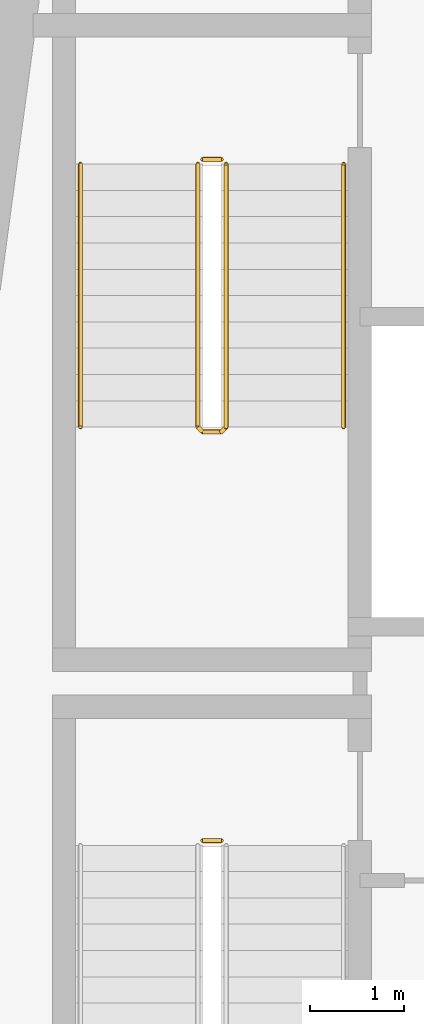
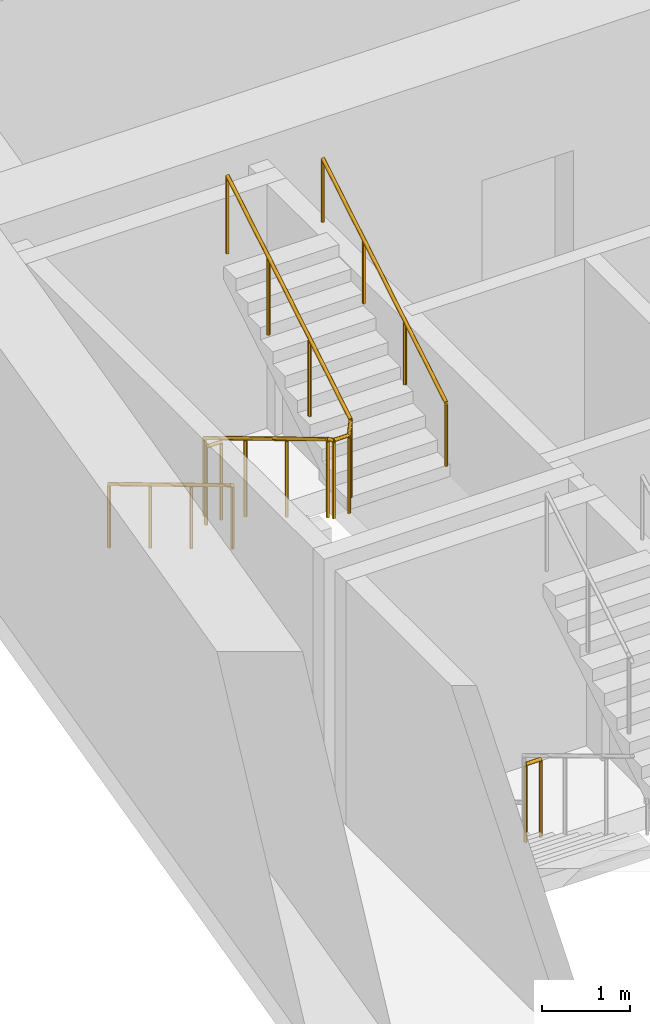
# One storey, part 10 of 13: 5 railings.
"""IFC4 building model written with IfcOpenShell, lengths in metres."""

import ifcopenshell
import ifcopenshell.guid

model = None  # the IFC model being written
_history = None  # IfcOwnerHistory: only IFC2X3 demands one
_inside = {}  # id of a spatial element -> (the spatial element, [elements in it])
_under = {}  # id of a project, library or spatial element -> (it, [spatial elements below it])
_declared = {}  # id of a project -> (the project, [libraries it declares])
_typed = {}  # id of a type object -> (the type object, [elements of that type])
_made_of = {}  # id of a material, layer set ... -> (it, [elements and type objects made of it])


def new_model(schema):
    """Start an empty IFC model of exactly this schema.

    Asked for "IFC4X3", IfcOpenShell would pick the latest addendum, in which some entities
    have other attributes; the version numbers below select the first issue.
    IFC2X3 requires an IfcOwnerHistory on every rooted entity: one is made here for all.
    """
    global model, _history
    if schema == "IFC4X3":
        model = ifcopenshell.file(schema_version=(4, 3, 0, 0))
    else:
        model = ifcopenshell.file(schema=schema)
    _inside.clear()
    _under.clear()
    _declared.clear()
    _typed.clear()
    _made_of.clear()
    _history = None
    if model.schema == "IFC2X3":
        org = make("IfcOrganization", Name="unknown")
        user = make(
            "IfcPersonAndOrganization",
            ThePerson=make("IfcPerson", FamilyName="unknown"),
            TheOrganization=org,
        )
        app = make(
            "IfcApplication",
            ApplicationDeveloper=org,
            Version="unknown",
            ApplicationFullName="unknown",
            ApplicationIdentifier="unknown",
        )
        _history = make(
            "IfcOwnerHistory",
            OwningUser=user,
            OwningApplication=app,
            ChangeAction="ADDED",
            CreationDate=0,
        )
    return model


def make(cls, **values):
    """One entity of the class cls with the attributes given. An attribute that is None is left unset."""
    return model.create_entity(
        cls, **{name: value for name, value in values.items() if value is not None}
    )


def rooted(cls, **values):
    """An entity with a GlobalId (a new one), such as an element, a storey or a relation."""
    return make(cls, GlobalId=ifcopenshell.guid.new(), OwnerHistory=_history, **values)


def si_unit(unit_type, name, prefix=None):
    """IfcSIUnit, for example si_unit("LENGTHUNIT", "METRE", prefix="MILLI")."""
    return make("IfcSIUnit", UnitType=unit_type, Prefix=prefix, Name=name)


def assignment(units):
    """IfcUnitAssignment: the units of a project."""
    return None if units is None else make("IfcUnitAssignment", Units=units)


def point(xyz):
    """IfcCartesianPoint."""
    return None if xyz is None else make("IfcCartesianPoint", Coordinates=xyz)


def direction(xyz):
    """IfcDirection."""
    return None if xyz is None else make("IfcDirection", DirectionRatios=xyz)


def frame(location, z_axis=None, x_axis=None):
    """IfcAxis2Placement3D, a coordinate frame: its origin and axes. An axis left out is left unset."""
    return make(
        "IfcAxis2Placement3D",
        Location=point(location),
        Axis=direction(z_axis),
        RefDirection=direction(x_axis),
    )


def frame_2d(location, x_axis=None):
    """IfcAxis2Placement2D, a coordinate frame in the plane: its origin and x axis."""
    return make(
        "IfcAxis2Placement2D", Location=point(location), RefDirection=direction(x_axis)
    )


def origin():
    """The frame at (0, 0, 0) with its axes left unset."""
    return frame((0.0, 0.0, 0.0))


def origin_2d():
    """The frame at (0, 0) in the plane with its x axis left unset."""
    return frame_2d((0.0, 0.0))


def place(relative_to, where):
    """IfcLocalPlacement: puts the frame where relative to a parent placement (None: the world)."""
    return make(
        "IfcLocalPlacement", PlacementRelTo=relative_to, RelativePlacement=where
    )


def context(
    kind, dimensions, precision=None, world=None, true_north=None, identifier=None
):
    """IfcGeometricRepresentationContext, for example the 3D "Model" context."""
    return make(
        "IfcGeometricRepresentationContext",
        ContextIdentifier=identifier,
        ContextType=kind,
        CoordinateSpaceDimension=dimensions,
        Precision=precision,
        WorldCoordinateSystem=world,
        TrueNorth=true_north,
    )


def subcontext(parent, identifier, kind, view, scale=None):
    """IfcGeometricRepresentationSubContext, for example "Body" below "Model"."""
    return make(
        "IfcGeometricRepresentationSubContext",
        ContextIdentifier=identifier,
        ContextType=kind,
        ParentContext=parent,
        TargetScale=scale,
        TargetView=view,
    )


def project(units=None, contexts=None):
    """IfcProject with its units and contexts."""
    return rooted(
        "IfcProject",
        Name="project",
        RepresentationContexts=contexts,
        UnitsInContext=assignment(units),
    )


def spatial(cls, under=None, at=None, **own):
    """A site, building, storey or space (cls), placed at a placement, below another one or the project."""
    s = rooted(cls, ObjectPlacement=at, **own)
    if under is not None:
        _under.setdefault(under.id(), (under, []))[1].append(s)
    return s


def profile(cls, at=None, kind="AREA", **sizes):
    """A parametric profile (cls). Its sizes go by their IFC names, for example OverallWidth=200.0."""
    return make(cls, ProfileType=kind, Position=at, **sizes)


def circle(**sizes):
    """IfcCircleProfileDef."""
    return profile("IfcCircleProfileDef", **sizes)


def extrude(swept, where, along, depth):
    """IfcExtrudedAreaSolid: the profile swept, set in the frame where, extruded along a direction by depth."""
    return make(
        "IfcExtrudedAreaSolid",
        SweptArea=swept,
        Position=where,
        ExtrudedDirection=direction(along),
        Depth=depth,
    )


def shape(context_of_items, identifier, shape_type, items):
    """IfcShapeRepresentation: the items that make up one representation, for example the "Body"."""
    return make(
        "IfcShapeRepresentation",
        ContextOfItems=context_of_items,
        RepresentationIdentifier=identifier,
        RepresentationType=shape_type,
        Items=items,
    )


def material(Name=None, Category=None):
    """IfcMaterial."""
    return make("IfcMaterial", Name=Name, Category=Category)


def made_of(thing, what):
    """Note that an element or type object is made of a material, layer set ...; save() writes the relation."""
    if what is not None:
        _made_of.setdefault(what.id(), (what, []))[1].append(thing)
    return thing


def type_object(cls, material=None, **own):
    """A type object (cls), such as IfcWallType, which elements share."""
    return made_of(rooted(cls, **own), material)


def element(
    cls,
    number,
    at=None,
    inside=None,
    cuts=None,
    type_object=None,
    material=None,
    context=None,
    identifier="Body",
    shape_type=None,
    held_by="IfcProductDefinitionShape",
    body=None,
    shapes=None,
    **own,
):
    """One element of the class cls, such as IfcWall. Its Tag is "e" and its number.

    at: its placement. inside: the storey or other place that contains it. cuts: it is an
    opening in that element (IfcRelVoidsElement). A single representation is given by context,
    identifier, shape_type and body (its items); several are given by shapes. held_by: the class
    of the entity that holds the representations. save() writes the other relations.
    """
    e = rooted(cls, Tag="e%d" % number, ObjectPlacement=at, **own)
    if body is not None:
        shapes = [shape(context, identifier, shape_type, body)]
    if shapes is not None:
        e.Representation = make(held_by, Representations=shapes)
    if inside is not None:
        _inside.setdefault(inside.id(), (inside, []))[1].append(e)
    if cuts is not None:
        rooted(
            "IfcRelVoidsElement", RelatingBuildingElement=cuts, RelatedOpeningElement=e
        )
    if type_object is not None:
        _typed.setdefault(type_object.id(), (type_object, []))[1].append(e)
    return made_of(e, material)


def aggregate(whole, parts):
    """IfcRelAggregates: a whole, such as a stair, and the parts it consists of."""
    return rooted("IfcRelAggregates", RelatingObject=whole, RelatedObjects=parts)


def save(model, path):
    """Write the relations noted so far, then the file.

    IfcRelAggregates (storeys below a building ...), IfcRelContainedInSpatialStructure (elements
    in a storey), IfcRelDefinesByType, IfcRelAssociatesMaterial and IfcRelDeclares: one each for
    every whole, place, type object, material and project.
    """
    for whole, parts in _under.values():
        aggregate(whole, parts)
    for where, things in _inside.values():
        rooted(
            "IfcRelContainedInSpatialStructure",
            RelatedElements=things,
            RelatingStructure=where,
        )
    for kind, things in _typed.values():
        rooted("IfcRelDefinesByType", RelatedObjects=things, RelatingType=kind)
    for what, things in _made_of.values():
        rooted("IfcRelAssociatesMaterial", RelatedObjects=things, RelatingMaterial=what)
    for by, libraries in _declared.values():
        rooted("IfcRelDeclares", RelatingContext=by, RelatedDefinitions=libraries)
    model.write(path)


model = new_model("IFC4")

# Units and contexts
model_context = context("Model", 3, precision=1e-05, world=origin(), true_north=direction((0.0, 1.0)))
body_context = subcontext(model_context, "Body", "Model", "MODEL_VIEW")
ifc_project = project(units=[si_unit("LENGTHUNIT", "METRE"), si_unit("AREAUNIT", "SQUARE_METRE"), si_unit("VOLUMEUNIT", "CUBIC_METRE"), si_unit("PLANEANGLEUNIT", "RADIAN"), si_unit("MASSUNIT", "GRAM", prefix="KILO")], contexts=[model_context])

# Site, building, storey
site_placement = place(None, origin())
site = spatial("IfcSite", under=ifc_project, at=site_placement, CompositionType="ELEMENT")
building_placement = place(site_placement, origin())
building = spatial("IfcBuilding", under=site, at=building_placement, Name="Candeia Pilgrim Tower and Theatre", CompositionType="ELEMENT")
storey_placement = place(building_placement, frame((0.0, 0.0, 158.89990234375)))
storey = spatial("IfcBuildingStorey", under=building, at=storey_placement, Name="L37", CompositionType="ELEMENT", Elevation=158.89990234375)

# Railings
ifc_material_1 = material(Name="Stainless steel balustrade", Category="steel")
railing_type_1 = type_object("IfcRailingType", Name="RL-GUARD-1100", PredefinedType="GUARDRAIL", material=ifc_material_1)
railing_1_placement = place(storey_placement, frame((91.152099609375, 122.52490234375, 0.0)))
element("IfcRailing", 1, at=railing_1_placement, inside=storey, type_object=railing_type_1, Name="L37 ST1 stair guard 2", PredefinedType="GUARDRAIL", context=body_context, shape_type="SweptSolid", body=[
    extrude(circle(Radius=0.02392578125, at=origin_2d()), frame((0.0, 0.0, 1.076171875), z_axis=(1.0, 0.0, 0.0), x_axis=(0.0, 1.0, 0.0)), (0.0, 0.0, 1.0), 0.199951171875),
    extrude(circle(Radius=0.02099609375, at=origin_2d()), origin(), (0.0, 0.0, 1.0), 1.052001953125),
    extrude(circle(Radius=0.02099609375, at=origin_2d()), frame((0.199951171875, 0.0, 0.0)), (0.0, 0.0, 1.0), 1.052001953125),
])
railing_2_placement = place(storey_placement, frame((91.10205078125, 129.72509765625, 0.168212890625)))
element("IfcRailing", 2, at=railing_2_placement, inside=storey, type_object=railing_type_1, Name="L37 ST2 stair guard 1", PredefinedType="GUARDRAIL", context=body_context, shape_type="SweptSolid", body=[
    extrude(circle(Radius=0.02392578125, at=origin_2d()), frame((0.0, 0.0, 1.076171875), z_axis=(0.0, -0.857242210791, 0.514913383045), x_axis=(1.0, 0.0, 0.0)), (0.0, 0.0, 1.0), 3.266357421875),
    extrude(circle(Radius=0.02392578125, at=origin_2d()), frame((0.0, -2.800048828125, 2.7578125), z_axis=(0.707106781187, -0.707106781187, 0.0), x_axis=(0.707106781187, 0.707106781187, 0.0)), (0.0, 0.0, 1.0), 0.07080078125),
    extrude(circle(Radius=0.02392578125, at=origin_2d()), frame((0.050048828125, -2.85009765625, 2.7578125), z_axis=(1.0, 0.0, 0.0), x_axis=(0.0, 1.0, 0.0)), (0.0, 0.0, 1.0), 0.199951171875),
    extrude(circle(Radius=0.02392578125, at=origin_2d()), frame((0.25, -2.85009765625, 2.7578125), z_axis=(0.274243871929, 0.274243871929, 0.92172696468), x_axis=(-0.707106781187, 0.707106781187, 0.0)), (0.0, 0.0, 1.0), 0.1826171875),
    extrude(circle(Radius=0.02392578125, at=origin_2d()), frame((0.300048828125, -2.800048828125, 2.92626953125), z_axis=(0.0, 0.857242210791, 0.514913383045), x_axis=(-1.0, 0.0, 0.0)), (0.0, 0.0, 1.0), 3.266357421875),
    extrude(circle(Radius=0.02099609375, at=origin_2d()), origin(), (0.0, 0.0, 1.0), 1.052001953125),
    extrude(circle(Radius=0.02099609375, at=origin_2d()), frame((0.0, -0.933349609375, 0.560546875)), (0.0, 0.0, 1.0), 1.052001953125),
    extrude(circle(Radius=0.02099609375, at=origin_2d()), frame((0.0, -1.86669921875, 1.121337890625)), (0.0, 0.0, 1.0), 1.052001953125),
    extrude(circle(Radius=0.02099609375, at=origin_2d()), frame((0.0, -2.800048828125, 1.681884765625)), (0.0, 0.0, 1.0), 1.052001953125),
    extrude(circle(Radius=0.02099609375, at=origin_2d()), frame((0.050048828125, -2.85009765625, 1.681884765625)), (0.0, 0.0, 1.0), 1.052001953125),
    extrude(circle(Radius=0.02099609375, at=origin_2d()), frame((0.25, -2.85009765625, 1.681884765625)), (0.0, 0.0, 1.0), 1.052001953125),
    extrude(circle(Radius=0.02099609375, at=origin_2d()), frame((0.300048828125, -2.800048828125, 1.85009765625)), (0.0, 0.0, 1.0), 1.052001953125),
    extrude(circle(Radius=0.02099609375, at=origin_2d()), frame((0.300048828125, -1.86669921875, 2.41064453125)), (0.0, 0.0, 1.0), 1.052001953125),
    extrude(circle(Radius=0.02099609375, at=origin_2d()), frame((0.300048828125, -0.933349609375, 2.971435546875)), (0.0, 0.0, 1.0), 1.052001953125),
    extrude(circle(Radius=0.02099609375, at=origin_2d()), frame((0.300048828125, 0.0, 3.531982421875)), (0.0, 0.0, 1.0), 1.052001953125),
])
railing_3_placement = place(storey_placement, frame((91.152099609375, 129.77490234375, 0.0)))
element("IfcRailing", 3, at=railing_3_placement, inside=storey, type_object=railing_type_1, Name="L37 ST2 stair guard 2", PredefinedType="GUARDRAIL", context=body_context, shape_type="SweptSolid", body=[
    extrude(circle(Radius=0.02392578125, at=origin_2d()), frame((0.0, 0.0, 1.076171875), z_axis=(1.0, 0.0, 0.0), x_axis=(0.0, 1.0, 0.0)), (0.0, 0.0, 1.0), 0.199951171875),
    extrude(circle(Radius=0.02099609375, at=origin_2d()), origin(), (0.0, 0.0, 1.0), 1.052001953125),
    extrude(circle(Radius=0.02099609375, at=origin_2d()), frame((0.199951171875, 0.0, 0.0)), (0.0, 0.0, 1.0), 1.052001953125),
])
ifc_material_2 = material(Name="Stainless steel handrail", Category="steel")
railing_type_2 = type_object("IfcRailingType", Name="RL-HANDRAIL-900", PredefinedType="HANDRAIL", material=ifc_material_2)
railing_4_placement = place(storey_placement, frame((89.85205078125, 129.72509765625, 0.168212890625)))
element("IfcRailing", 4, at=railing_4_placement, inside=storey, type_object=railing_type_2, Name="L37 ST2 stair handrail 1", PredefinedType="HANDRAIL", context=body_context, shape_type="SweptSolid", body=[
    extrude(circle(Radius=0.02392578125, at=origin_2d()), frame((0.0, 0.0, 0.8759765625), z_axis=(0.0, -0.857242210791, 0.514913383045), x_axis=(1.0, 0.0, 0.0)), (0.0, 0.0, 1.0), 3.266357421875),
    extrude(circle(Radius=0.02099609375, at=origin_2d()), origin(), (0.0, 0.0, 1.0), 0.851806640625),
    extrude(circle(Radius=0.02099609375, at=origin_2d()), frame((0.0, -0.933349609375, 0.560546875)), (0.0, 0.0, 1.0), 0.851806640625),
    extrude(circle(Radius=0.02099609375, at=origin_2d()), frame((0.0, -1.86669921875, 1.121337890625)), (0.0, 0.0, 1.0), 0.851806640625),
    extrude(circle(Radius=0.02099609375, at=origin_2d()), frame((0.0, -2.800048828125, 1.681884765625)), (0.0, 0.0, 1.0), 0.851806640625),
])
railing_5_placement = place(storey_placement, frame((92.652099609375, 126.925048828125, 2.018310546875)))
element("IfcRailing", 5, at=railing_5_placement, inside=storey, type_object=railing_type_2, Name="L37 ST2 stair handrail 2", PredefinedType="HANDRAIL", context=body_context, shape_type="SweptSolid", body=[
    extrude(circle(Radius=0.02392578125, at=origin_2d()), frame((0.0, 0.0, 0.8759765625), z_axis=(0.0, 0.857242210791, 0.514913383045), x_axis=(-1.0, 0.0, 0.0)), (0.0, 0.0, 1.0), 3.266357421875),
    extrude(circle(Radius=0.02099609375, at=origin_2d()), origin(), (0.0, 0.0, 1.0), 0.851806640625),
    extrude(circle(Radius=0.02099609375, at=origin_2d()), frame((0.0, 0.933349609375, 0.560546875)), (0.0, 0.0, 1.0), 0.851806640625),
    extrude(circle(Radius=0.02099609375, at=origin_2d()), frame((0.0, 1.86669921875, 1.121337890625)), (0.0, 0.0, 1.0), 0.851806640625),
    extrude(circle(Radius=0.02099609375, at=origin_2d()), frame((0.0, 2.800048828125, 1.681884765625)), (0.0, 0.0, 1.0), 0.851806640625),
])

save(model, "model.ifc")
